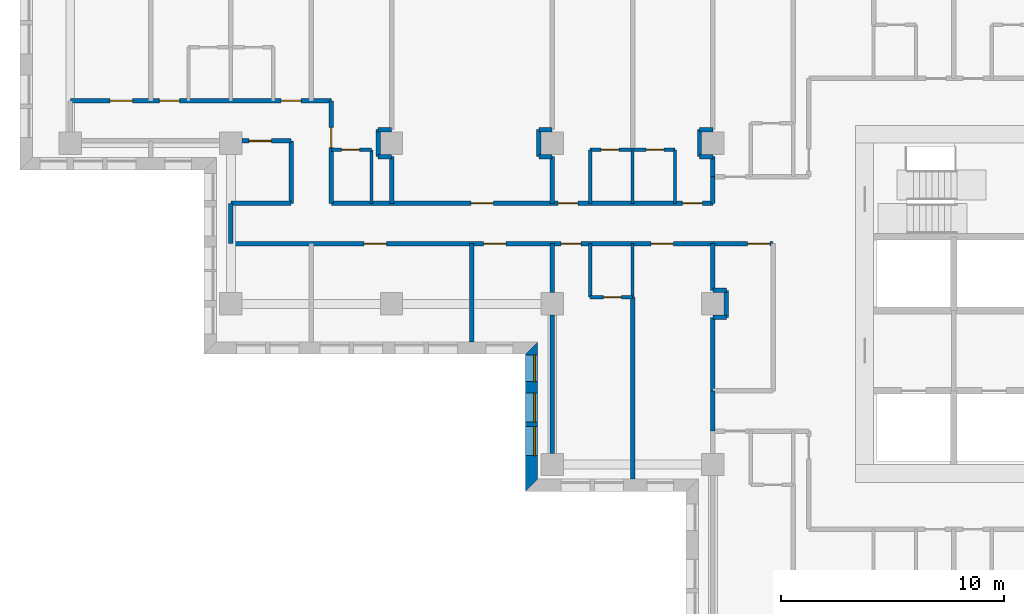
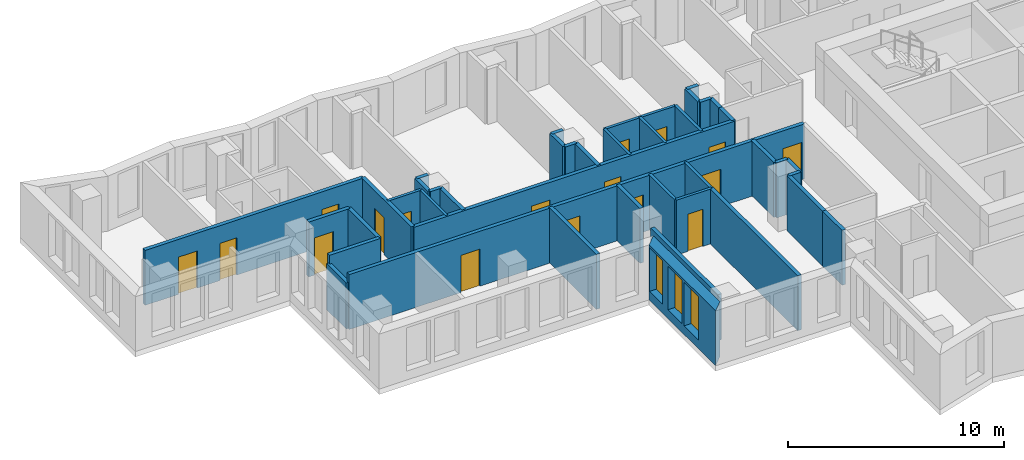
# One storey, part 4 of 13: 41 walls, 17 doors, 3 windows, 20 openings.
"""IFC4 building model written with IfcOpenShell, lengths in metres."""

import ifcopenshell
import ifcopenshell.guid

model = None  # the IFC model being written
_history = None  # IfcOwnerHistory: only IFC2X3 demands one
_inside = {}  # id of a spatial element -> (the spatial element, [elements in it])
_under = {}  # id of a project, library or spatial element -> (it, [spatial elements below it])
_declared = {}  # id of a project -> (the project, [libraries it declares])
_typed = {}  # id of a type object -> (the type object, [elements of that type])
_made_of = {}  # id of a material, layer set ... -> (it, [elements and type objects made of it])


def new_model(schema):
    """Start an empty IFC model of exactly this schema.

    Asked for "IFC4X3", IfcOpenShell would pick the latest addendum, in which some entities
    have other attributes; the version numbers below select the first issue.
    IFC2X3 requires an IfcOwnerHistory on every rooted entity: one is made here for all.
    """
    global model, _history
    if schema == "IFC4X3":
        model = ifcopenshell.file(schema_version=(4, 3, 0, 0))
    else:
        model = ifcopenshell.file(schema=schema)
    _inside.clear()
    _under.clear()
    _declared.clear()
    _typed.clear()
    _made_of.clear()
    _history = None
    if model.schema == "IFC2X3":
        org = make("IfcOrganization", Name="unknown")
        user = make(
            "IfcPersonAndOrganization",
            ThePerson=make("IfcPerson", FamilyName="unknown"),
            TheOrganization=org,
        )
        app = make(
            "IfcApplication",
            ApplicationDeveloper=org,
            Version="unknown",
            ApplicationFullName="unknown",
            ApplicationIdentifier="unknown",
        )
        _history = make(
            "IfcOwnerHistory",
            OwningUser=user,
            OwningApplication=app,
            ChangeAction="ADDED",
            CreationDate=0,
        )
    return model


def make(cls, **values):
    """One entity of the class cls with the attributes given. An attribute that is None is left unset."""
    return model.create_entity(
        cls, **{name: value for name, value in values.items() if value is not None}
    )


def rooted(cls, **values):
    """An entity with a GlobalId (a new one), such as an element, a storey or a relation."""
    return make(cls, GlobalId=ifcopenshell.guid.new(), OwnerHistory=_history, **values)


def si_unit(unit_type, name, prefix=None):
    """IfcSIUnit, for example si_unit("LENGTHUNIT", "METRE", prefix="MILLI")."""
    return make("IfcSIUnit", UnitType=unit_type, Prefix=prefix, Name=name)


def assignment(units):
    """IfcUnitAssignment: the units of a project."""
    return None if units is None else make("IfcUnitAssignment", Units=units)


def point(xyz):
    """IfcCartesianPoint."""
    return None if xyz is None else make("IfcCartesianPoint", Coordinates=xyz)


def direction(xyz):
    """IfcDirection."""
    return None if xyz is None else make("IfcDirection", DirectionRatios=xyz)


def frame(location, z_axis=None, x_axis=None):
    """IfcAxis2Placement3D, a coordinate frame: its origin and axes. An axis left out is left unset."""
    return make(
        "IfcAxis2Placement3D",
        Location=point(location),
        Axis=direction(z_axis),
        RefDirection=direction(x_axis),
    )


def frame_2d(location, x_axis=None):
    """IfcAxis2Placement2D, a coordinate frame in the plane: its origin and x axis."""
    return make(
        "IfcAxis2Placement2D", Location=point(location), RefDirection=direction(x_axis)
    )


def origin():
    """The frame at (0, 0, 0) with its axes left unset."""
    return frame((0.0, 0.0, 0.0))


def place(relative_to, where):
    """IfcLocalPlacement: puts the frame where relative to a parent placement (None: the world)."""
    return make(
        "IfcLocalPlacement", PlacementRelTo=relative_to, RelativePlacement=where
    )


def context(
    kind, dimensions, precision=None, world=None, true_north=None, identifier=None
):
    """IfcGeometricRepresentationContext, for example the 3D "Model" context."""
    return make(
        "IfcGeometricRepresentationContext",
        ContextIdentifier=identifier,
        ContextType=kind,
        CoordinateSpaceDimension=dimensions,
        Precision=precision,
        WorldCoordinateSystem=world,
        TrueNorth=true_north,
    )


def subcontext(parent, identifier, kind, view, scale=None):
    """IfcGeometricRepresentationSubContext, for example "Body" below "Model"."""
    return make(
        "IfcGeometricRepresentationSubContext",
        ContextIdentifier=identifier,
        ContextType=kind,
        ParentContext=parent,
        TargetScale=scale,
        TargetView=view,
    )


def project(units=None, contexts=None):
    """IfcProject with its units and contexts."""
    return rooted(
        "IfcProject",
        Name="project",
        RepresentationContexts=contexts,
        UnitsInContext=assignment(units),
    )


def spatial(cls, under=None, at=None, **own):
    """A site, building, storey or space (cls), placed at a placement, below another one or the project."""
    s = rooted(cls, ObjectPlacement=at, **own)
    if under is not None:
        _under.setdefault(under.id(), (under, []))[1].append(s)
    return s


def polyline(points):
    """IfcPolyline through the points."""
    return make("IfcPolyline", Points=[point(p) for p in points])


def profile(cls, at=None, kind="AREA", **sizes):
    """A parametric profile (cls). Its sizes go by their IFC names, for example OverallWidth=200.0."""
    return make(cls, ProfileType=kind, Position=at, **sizes)


def rectangle(**sizes):
    """IfcRectangleProfileDef."""
    return profile("IfcRectangleProfileDef", **sizes)


def outline(outer, holes=None, kind="AREA"):
    """IfcArbitraryClosedProfileDef: a profile drawn as a closed curve; with holes, ...WithVoids."""
    if holes is None:
        return make("IfcArbitraryClosedProfileDef", ProfileType=kind, OuterCurve=outer)
    return make(
        "IfcArbitraryProfileDefWithVoids",
        ProfileType=kind,
        OuterCurve=outer,
        InnerCurves=holes,
    )


def extrude(swept, where, along, depth):
    """IfcExtrudedAreaSolid: the profile swept, set in the frame where, extruded along a direction by depth."""
    return make(
        "IfcExtrudedAreaSolid",
        SweptArea=swept,
        Position=where,
        ExtrudedDirection=direction(along),
        Depth=depth,
    )


def shape(context_of_items, identifier, shape_type, items):
    """IfcShapeRepresentation: the items that make up one representation, for example the "Body"."""
    return make(
        "IfcShapeRepresentation",
        ContextOfItems=context_of_items,
        RepresentationIdentifier=identifier,
        RepresentationType=shape_type,
        Items=items,
    )


def material(Name=None, Category=None):
    """IfcMaterial."""
    return make("IfcMaterial", Name=Name, Category=Category)


def layer(
    of_material, thickness, ventilated=None, Name=None, Category=None, Priority=None
):
    """IfcMaterialLayer: one layer of a wall or slab, of a material (None: an air gap)."""
    return make(
        "IfcMaterialLayer",
        Material=of_material,
        LayerThickness=thickness,
        IsVentilated=ventilated,
        Name=Name,
        Category=Category,
        Priority=Priority,
    )


def layer_set(layers, Name=None):
    """IfcMaterialLayerSet."""
    return make("IfcMaterialLayerSet", MaterialLayers=layers, LayerSetName=Name)


def made_of(thing, what):
    """Note that an element or type object is made of a material, layer set ...; save() writes the relation."""
    if what is not None:
        _made_of.setdefault(what.id(), (what, []))[1].append(thing)
    return thing


def type_object(cls, material=None, **own):
    """A type object (cls), such as IfcWallType, which elements share."""
    return made_of(rooted(cls, **own), material)


def element(
    cls,
    number,
    at=None,
    inside=None,
    cuts=None,
    type_object=None,
    material=None,
    context=None,
    identifier="Body",
    shape_type=None,
    held_by="IfcProductDefinitionShape",
    body=None,
    shapes=None,
    **own,
):
    """One element of the class cls, such as IfcWall. Its Tag is "e" and its number.

    at: its placement. inside: the storey or other place that contains it. cuts: it is an
    opening in that element (IfcRelVoidsElement). A single representation is given by context,
    identifier, shape_type and body (its items); several are given by shapes. held_by: the class
    of the entity that holds the representations. save() writes the other relations.
    """
    e = rooted(cls, Tag="e%d" % number, ObjectPlacement=at, **own)
    if body is not None:
        shapes = [shape(context, identifier, shape_type, body)]
    if shapes is not None:
        e.Representation = make(held_by, Representations=shapes)
    if inside is not None:
        _inside.setdefault(inside.id(), (inside, []))[1].append(e)
    if cuts is not None:
        rooted(
            "IfcRelVoidsElement", RelatingBuildingElement=cuts, RelatedOpeningElement=e
        )
    if type_object is not None:
        _typed.setdefault(type_object.id(), (type_object, []))[1].append(e)
    return made_of(e, material)


def fill(opening, filler):
    """IfcRelFillsElement: the door or window that sits in an opening."""
    return rooted(
        "IfcRelFillsElement",
        RelatingOpeningElement=opening,
        RelatedBuildingElement=filler,
    )


def aggregate(whole, parts):
    """IfcRelAggregates: a whole, such as a stair, and the parts it consists of."""
    return rooted("IfcRelAggregates", RelatingObject=whole, RelatedObjects=parts)


def save(model, path):
    """Write the relations noted so far, then the file.

    IfcRelAggregates (storeys below a building ...), IfcRelContainedInSpatialStructure (elements
    in a storey), IfcRelDefinesByType, IfcRelAssociatesMaterial and IfcRelDeclares: one each for
    every whole, place, type object, material and project.
    """
    for whole, parts in _under.values():
        aggregate(whole, parts)
    for where, things in _inside.values():
        rooted(
            "IfcRelContainedInSpatialStructure",
            RelatedElements=things,
            RelatingStructure=where,
        )
    for kind, things in _typed.values():
        rooted("IfcRelDefinesByType", RelatedObjects=things, RelatingType=kind)
    for what, things in _made_of.values():
        rooted("IfcRelAssociatesMaterial", RelatedObjects=things, RelatingMaterial=what)
    for by, libraries in _declared.values():
        rooted("IfcRelDeclares", RelatingContext=by, RelatedDefinitions=libraries)
    model.write(path)


model = new_model("IFC4")

# Units and contexts
model_context = context("Model", 3, precision=1e-05, world=origin(), true_north=direction((0.0, 1.0)))
body_context = subcontext(model_context, "Body", "Model", "MODEL_VIEW")
ifc_project = project(units=[si_unit("LENGTHUNIT", "METRE"), si_unit("AREAUNIT", "SQUARE_METRE"), si_unit("VOLUMEUNIT", "CUBIC_METRE"), si_unit("PLANEANGLEUNIT", "RADIAN"), si_unit("MASSUNIT", "GRAM", prefix="KILO")], contexts=[model_context])

# Site, building, storey
site_placement = place(None, origin())
site = spatial("IfcSite", under=ifc_project, at=site_placement, CompositionType="ELEMENT")
building_placement = place(site_placement, origin())
building = spatial("IfcBuilding", under=site, at=building_placement, Name="Windrow Commons", CompositionType="ELEMENT")
storey_placement = place(building_placement, frame((0.0, 0.0, 98.2)))
storey = spatial("IfcBuildingStorey", under=building, at=storey_placement, Name="L26", CompositionType="ELEMENT", Elevation=98.2)

# Wall, openings, windows
ifc_material_1 = material(Name="Brick masonry, red clay brick", Category="masonry")
ifc_layer_1 = layer(ifc_material_1, 0.55)
ifc_layer_set_1 = layer_set([ifc_layer_1], Name="Brick facade wall 550")
wall_type_1 = type_object("IfcWallType", Name="Brick facade wall 550", PredefinedType="SOLIDWALL", material=ifc_layer_set_1)
wall_1_placement = place(storey_placement, frame((42.275, 55.624, 0.0), z_axis=(0.0, 0.0, 1.0), x_axis=(0.0, -1.0, 0.0)))
wall_1 = element("IfcWall", 1, at=wall_1_placement, inside=storey, type_object=wall_type_1, Name="Brick facade wall L26 41", PredefinedType="SOLIDWALL", context=body_context, shape_type="SweptSolid", body=[
    extrude(outline(polyline([(0.275, -0.275), (6.424, -0.275), (5.874, 0.275), (-0.275, 0.275), (0.275, -0.275)])), origin(), (0.0, 0.0, 1.0), 3.1),
])
opening_1_placement = place(wall_1_placement, frame((2.024, 0.0, 0.5)))
opening_1 = element("IfcOpeningElement", 2, at=opening_1_placement, cuts=wall_1, Name="Opening W1P", PredefinedType="OPENING", context=body_context, shape_type="SweptSolid", body=[
    extrude(rectangle(XDim=1.3, YDim=2.45, at=frame_2d((0.65, 1.225))), frame((0.0, 0.285, 0.0), z_axis=(0.0, -1.0, 0.0), x_axis=(1.0, 0.0, 0.0)), (0.0, 0.0, 1.0), 0.57),
])
opening_2_placement = place(wall_1_placement, frame((3.524, 0.0, 0.5)))
opening_2 = element("IfcOpeningElement", 3, at=opening_2_placement, cuts=wall_1, Name="Opening W1P", PredefinedType="OPENING", context=body_context, shape_type="SweptSolid", body=[
    extrude(rectangle(XDim=1.3, YDim=2.45, at=frame_2d((0.65, 1.225))), frame((0.0, 0.285, 0.0), z_axis=(0.0, -1.0, 0.0), x_axis=(1.0, 0.0, 0.0)), (0.0, 0.0, 1.0), 0.57),
])
opening_3_placement = place(wall_1_placement, frame((0.312, 0.0, 0.5)))
opening_3 = element("IfcOpeningElement", 4, at=opening_3_placement, cuts=wall_1, Name="Opening W7D", PredefinedType="OPENING", context=body_context, shape_type="SweptSolid", body=[
    extrude(rectangle(XDim=1.2, YDim=2.45, at=frame_2d((0.6, 1.225))), frame((0.0, 0.285, 0.0), z_axis=(0.0, -1.0, 0.0), x_axis=(1.0, 0.0, 0.0)), (0.0, 0.0, 1.0), 0.57),
])
ifc_material_2 = material(Name="Clear float glass in anodised aluminium frame", Category="aluminium")
window_type_1 = type_object("IfcWindowType", Name="Window W1P pair 1300x2450", PartitioningType="SINGLE_PANEL", PredefinedType="WINDOW", material=ifc_material_2)
window_1_placement = place(opening_1_placement, origin())
window_1 = element("IfcWindow", 5, at=window_1_placement, inside=storey, type_object=window_type_1, Name="Window L26 41.1A", OverallHeight=2.45, OverallWidth=1.3, PartitioningType="SINGLE_PANEL", PredefinedType="WINDOW", context=body_context, shape_type="SweptSolid", body=[
    extrude(rectangle(XDim=1.3, YDim=2.45, at=frame_2d((0.65, 1.225))), frame((0.0, 0.155, 0.0), z_axis=(0.0, -1.0, 0.0), x_axis=(1.0, 0.0, 0.0)), (0.0, 0.0, 1.0), 0.06),
])
fill(opening_1, window_1)
window_2_placement = place(opening_2_placement, origin())
window_2 = element("IfcWindow", 6, at=window_2_placement, inside=storey, type_object=window_type_1, Name="Window L26 41.1B", OverallHeight=2.45, OverallWidth=1.3, PartitioningType="SINGLE_PANEL", PredefinedType="WINDOW", context=body_context, shape_type="SweptSolid", body=[
    extrude(rectangle(XDim=1.3, YDim=2.45, at=frame_2d((0.65, 1.225))), frame((0.0, 0.155, 0.0), z_axis=(0.0, -1.0, 0.0), x_axis=(1.0, 0.0, 0.0)), (0.0, 0.0, 1.0), 0.06),
])
fill(opening_2, window_2)
ifc_material_3 = material(Name="Clear float glass in anodised aluminium frame", Category="aluminium")
window_type_2 = type_object("IfcWindowType", Name="Window W7 notch 1200x2450", PartitioningType="SINGLE_PANEL", PredefinedType="WINDOW", material=ifc_material_3)
window_3_placement = place(opening_3_placement, origin())
window_3 = element("IfcWindow", 7, at=window_3_placement, inside=storey, type_object=window_type_2, Name="Window L26 41.2", OverallHeight=2.45, OverallWidth=1.2, PartitioningType="SINGLE_PANEL", PredefinedType="WINDOW", context=body_context, shape_type="SweptSolid", body=[
    extrude(rectangle(XDim=1.2, YDim=2.45, at=frame_2d((0.6, 1.225))), frame((0.0, 0.155, 0.0), z_axis=(0.0, -1.0, 0.0), x_axis=(1.0, 0.0, 0.0)), (0.0, 0.0, 1.0), 0.06),
])
fill(opening_3, window_3)

# Wall, openings, doors
ifc_material_4 = material(Name="Blockwork partition", Category="masonry")
ifc_layer_2 = layer(ifc_material_4, 0.2)
ifc_layer_set_2 = layer_set([ifc_layer_2], Name="IW-CORRIDOR-200")
wall_type_2 = type_object("IfcWallType", Name="IW-CORRIDOR-200", PredefinedType="PARTITIONING", material=ifc_layer_set_2)
wall_2_placement = place(storey_placement, frame((28.802, 60.3, 0.0), z_axis=(0.0, 0.0, 1.0), x_axis=(1.0, 0.0, 0.0)))
wall_2 = element("IfcWall", 8, at=wall_2_placement, inside=storey, type_object=wall_type_2, Name="W-L26-W000", PredefinedType="PARTITIONING", context=body_context, shape_type="SweptSolid", body=[
    extrude(rectangle(XDim=24.298, YDim=0.2, at=frame_2d((12.149, 0.0))), origin(), (0.0, 0.0, 1.0), 3.1),
])
opening_4_placement = place(wall_2_placement, frame((5.9717, 0.0, 0.0)))
opening_4 = element("IfcOpeningElement", 9, at=opening_4_placement, cuts=wall_2, Name="Opening D310F", PredefinedType="OPENING", context=body_context, shape_type="SweptSolid", body=[
    extrude(rectangle(XDim=1.0, YDim=2.1, at=frame_2d((0.5, 1.05))), frame((0.0, 0.11, 0.0), z_axis=(0.0, -1.0, 0.0), x_axis=(1.0, 0.0, 0.0)), (0.0, 0.0, 1.0), 0.22),
])
opening_5_placement = place(wall_2_placement, frame((11.323, 0.0, 0.0)))
opening_5 = element("IfcOpeningElement", 10, at=opening_5_placement, cuts=wall_2, Name="Opening D310F", PredefinedType="OPENING", context=body_context, shape_type="SweptSolid", body=[
    extrude(rectangle(XDim=1.0, YDim=2.1, at=frame_2d((0.5, 1.05))), frame((0.0, 0.11, 0.0), z_axis=(0.0, -1.0, 0.0), x_axis=(1.0, 0.0, 0.0)), (0.0, 0.0, 1.0), 0.22),
])
opening_6_placement = place(wall_2_placement, frame((14.798, 0.0, 0.0)))
opening_6 = element("IfcOpeningElement", 11, at=opening_6_placement, cuts=wall_2, Name="Opening D109S", PredefinedType="OPENING", context=body_context, shape_type="SweptSolid", body=[
    extrude(rectangle(XDim=0.9, YDim=2.1, at=frame_2d((0.45, 1.05))), frame((0.0, 0.11, 0.0), z_axis=(0.0, -1.0, 0.0), x_axis=(1.0, 0.0, 0.0)), (0.0, 0.0, 1.0), 0.22),
])
opening_7_placement = place(wall_2_placement, frame((18.833, 0.0, 0.0)))
opening_7 = element("IfcOpeningElement", 12, at=opening_7_placement, cuts=wall_2, Name="Opening D310F", PredefinedType="OPENING", context=body_context, shape_type="SweptSolid", body=[
    extrude(rectangle(XDim=1.0, YDim=2.1, at=frame_2d((0.5, 1.05))), frame((0.0, 0.11, 0.0), z_axis=(0.0, -1.0, 0.0), x_axis=(1.0, 0.0, 0.0)), (0.0, 0.0, 1.0), 0.22),
])
opening_8_placement = place(wall_2_placement, frame((23.1515, 0.0, 0.0)))
opening_8 = element("IfcOpeningElement", 13, at=opening_8_placement, cuts=wall_2, Name="Opening D410F", PredefinedType="OPENING", context=body_context, shape_type="SweptSolid", body=[
    extrude(rectangle(XDim=1.0, YDim=2.1, at=frame_2d((0.5, 1.05))), frame((0.0, 0.11, 0.0), z_axis=(0.0, -1.0, 0.0), x_axis=(1.0, 0.0, 0.0)), (0.0, 0.0, 1.0), 0.22),
])
ifc_material_5 = material(Name="Timber door leaf", Category="wood")
door_type_1 = type_object("IfcDoorType", Name="DT-AMENITY-1000", OperationType="SINGLE_SWING_LEFT", PredefinedType="DOOR", material=ifc_material_5)
door_1_placement = place(opening_4_placement, origin())
door_1 = element("IfcDoor", 14, at=door_1_placement, inside=storey, type_object=door_type_1, Name="D-L26-D007", OperationType="SINGLE_SWING_RIGHT", OverallHeight=2.1, OverallWidth=1.0, PredefinedType="DOOR", context=body_context, shape_type="SweptSolid", body=[
    extrude(rectangle(XDim=1.0, YDim=2.1, at=frame_2d((0.5, 1.05))), frame((0.0, 0.025, 0.0), z_axis=(0.0, -1.0, 0.0), x_axis=(1.0, 0.0, 0.0)), (0.0, 0.0, 1.0), 0.05),
])
fill(opening_4, door_1)
door_2_placement = place(opening_5_placement, origin())
door_2 = element("IfcDoor", 15, at=door_2_placement, inside=storey, type_object=door_type_1, Name="D-L26-D015", OperationType="SINGLE_SWING_RIGHT", OverallHeight=2.1, OverallWidth=1.0, PredefinedType="DOOR", context=body_context, shape_type="SweptSolid", body=[
    extrude(rectangle(XDim=1.0, YDim=2.1, at=frame_2d((0.5, 1.05))), frame((0.0, 0.025, 0.0), z_axis=(0.0, -1.0, 0.0), x_axis=(1.0, 0.0, 0.0)), (0.0, 0.0, 1.0), 0.05),
])
fill(opening_5, door_2)
door_3_placement = place(opening_7_placement, origin())
door_3 = element("IfcDoor", 16, at=door_3_placement, inside=storey, type_object=door_type_1, Name="D-L26-D018", OperationType="SINGLE_SWING_RIGHT", OverallHeight=2.1, OverallWidth=1.0, PredefinedType="DOOR", context=body_context, shape_type="SweptSolid", body=[
    extrude(rectangle(XDim=1.0, YDim=2.1, at=frame_2d((0.5, 1.05))), frame((0.0, 0.025, 0.0), z_axis=(0.0, -1.0, 0.0), x_axis=(1.0, 0.0, 0.0)), (0.0, 0.0, 1.0), 0.05),
])
fill(opening_7, door_3)
ifc_material_6 = material(Name="Timber door leaf", Category="wood")
door_type_2 = type_object("IfcDoorType", Name="DT-BEDROOM-900", OperationType="SINGLE_SWING_LEFT", PredefinedType="DOOR", material=ifc_material_6)
door_4_placement = place(opening_6_placement, origin())
door_4 = element("IfcDoor", 17, at=door_4_placement, inside=storey, type_object=door_type_2, Name="D-L26-D016", OperationType="SINGLE_SWING_LEFT", OverallHeight=2.1, OverallWidth=0.9, PredefinedType="DOOR", context=body_context, shape_type="SweptSolid", body=[
    extrude(rectangle(XDim=0.9, YDim=2.1, at=frame_2d((0.45, 1.05))), frame((0.0, 0.025, 0.0), z_axis=(0.0, -1.0, 0.0), x_axis=(1.0, 0.0, 0.0)), (0.0, 0.0, 1.0), 0.05),
])
fill(opening_6, door_4)
ifc_material_7 = material(Name="Timber door leaf", Category="wood")
door_type_3 = type_object("IfcDoorType", Name="DT-SERVICE-1000", OperationType="SINGLE_SWING_LEFT", PredefinedType="DOOR", material=ifc_material_7)
door_5_placement = place(opening_8_placement, origin())
door_5 = element("IfcDoor", 18, at=door_5_placement, inside=storey, type_object=door_type_3, Name="D-L26-D025", OperationType="SINGLE_SWING_LEFT", OverallHeight=2.1, OverallWidth=1.0, PredefinedType="DOOR", context=body_context, shape_type="SweptSolid", body=[
    extrude(rectangle(XDim=1.0, YDim=2.1, at=frame_2d((0.5, 1.05))), frame((0.0, 0.025, 0.0), z_axis=(0.0, -1.0, 0.0), x_axis=(1.0, 0.0, 0.0)), (0.0, 0.0, 1.0), 0.05),
])
fill(opening_8, door_5)

wall_3_placement = place(storey_placement, frame((33.3, 62.1, 0.0), z_axis=(0.0, 0.0, 1.0), x_axis=(1.0, 0.0, 0.0)))
wall_3 = element("IfcWall", 19, at=wall_3_placement, inside=storey, type_object=wall_type_2, Name="W-L26-W004", PredefinedType="PARTITIONING", context=body_context, shape_type="SweptSolid", body=[
    extrude(rectangle(XDim=17.1, YDim=0.2, at=frame_2d((8.55, 0.0))), origin(), (0.0, 0.0, 1.0), 3.1),
])
opening_9_placement = place(wall_3_placement, frame((6.2575, 0.0, 0.0)))
opening_9 = element("IfcOpeningElement", 20, at=opening_9_placement, cuts=wall_3, Name="Opening D310F", PredefinedType="OPENING", context=body_context, shape_type="SweptSolid", body=[
    extrude(rectangle(XDim=1.0, YDim=2.1, at=frame_2d((0.5, 1.05))), frame((0.0, 0.11, 0.0), z_axis=(0.0, -1.0, 0.0), x_axis=(1.0, 0.0, 0.0)), (0.0, 0.0, 1.0), 0.22),
])
opening_10_placement = place(wall_3_placement, frame((10.1483, 0.0, 0.0)))
opening_10 = element("IfcOpeningElement", 21, at=opening_10_placement, cuts=wall_3, Name="Opening D109S", PredefinedType="OPENING", context=body_context, shape_type="SweptSolid", body=[
    extrude(rectangle(XDim=0.9, YDim=2.1, at=frame_2d((0.45, 1.05))), frame((0.0, 0.11, 0.0), z_axis=(0.0, -1.0, 0.0), x_axis=(1.0, 0.0, 0.0)), (0.0, 0.0, 1.0), 0.22),
])
opening_11_placement = place(wall_3_placement, frame((15.7289, 0.0, 0.0)))
opening_11 = element("IfcOpeningElement", 22, at=opening_11_placement, cuts=wall_3, Name="Opening D109S", PredefinedType="OPENING", context=body_context, shape_type="SweptSolid", body=[
    extrude(rectangle(XDim=0.9, YDim=2.1, at=frame_2d((0.45, 1.05))), frame((0.0, 0.11, 0.0), z_axis=(0.0, -1.0, 0.0), x_axis=(1.0, 0.0, 0.0)), (0.0, 0.0, 1.0), 0.22),
])
door_6_placement = place(opening_9_placement, origin())
door_6 = element("IfcDoor", 23, at=door_6_placement, inside=storey, type_object=door_type_1, Name="D-L26-D010", OperationType="SINGLE_SWING_RIGHT", OverallHeight=2.1, OverallWidth=1.0, PredefinedType="DOOR", context=body_context, shape_type="SweptSolid", body=[
    extrude(rectangle(XDim=1.0, YDim=2.1, at=frame_2d((0.5, 1.05))), frame((0.0, 0.025, 0.0), z_axis=(0.0, -1.0, 0.0), x_axis=(1.0, 0.0, 0.0)), (0.0, 0.0, 1.0), 0.05),
])
fill(opening_9, door_6)
door_7_placement = place(opening_10_placement, origin())
door_7 = element("IfcDoor", 24, at=door_7_placement, inside=storey, type_object=door_type_2, Name="D-L26-D011", OperationType="SINGLE_SWING_RIGHT", OverallHeight=2.1, OverallWidth=0.9, PredefinedType="DOOR", context=body_context, shape_type="SweptSolid", body=[
    extrude(rectangle(XDim=0.9, YDim=2.1, at=frame_2d((0.45, 1.05))), frame((0.0, 0.025, 0.0), z_axis=(0.0, -1.0, 0.0), x_axis=(1.0, 0.0, 0.0)), (0.0, 0.0, 1.0), 0.05),
])
fill(opening_10, door_7)
door_8_placement = place(opening_11_placement, origin())
door_8 = element("IfcDoor", 25, at=door_8_placement, inside=storey, type_object=door_type_2, Name="D-L26-D013", OperationType="SINGLE_SWING_LEFT", OverallHeight=2.1, OverallWidth=0.9, PredefinedType="DOOR", context=body_context, shape_type="SweptSolid", body=[
    extrude(rectangle(XDim=0.9, YDim=2.1, at=frame_2d((0.45, 1.05))), frame((0.0, 0.025, 0.0), z_axis=(0.0, -1.0, 0.0), x_axis=(1.0, 0.0, 0.0)), (0.0, 0.0, 1.0), 0.05),
])
fill(opening_11, door_8)

wall_4_placement = place(storey_placement, frame((21.602, 66.7, 0.0), z_axis=(0.0, 0.0, 1.0), x_axis=(1.0, 0.0, 0.0)))
wall_4 = element("IfcWall", 26, at=wall_4_placement, inside=storey, type_object=wall_type_2, Name="W-L26-W006", PredefinedType="PARTITIONING", context=body_context, shape_type="SweptSolid", body=[
    extrude(rectangle(XDim=11.698, YDim=0.2, at=frame_2d((5.849, 0.0))), origin(), (0.0, 0.0, 1.0), 3.1),
])
opening_12_placement = place(wall_4_placement, frame((1.7901, 0.0, 0.0)))
opening_12 = element("IfcOpeningElement", 27, at=opening_12_placement, cuts=wall_4, Name="Opening D310F", PredefinedType="OPENING", context=body_context, shape_type="SweptSolid", body=[
    extrude(rectangle(XDim=1.0, YDim=2.1, at=frame_2d((0.5, 1.05))), frame((0.0, 0.11, 0.0), z_axis=(0.0, -1.0, 0.0), x_axis=(1.0, 0.0, 0.0)), (0.0, 0.0, 1.0), 0.22),
])
opening_13_placement = place(wall_4_placement, frame((3.998, 0.0, 0.0)))
opening_13 = element("IfcOpeningElement", 28, at=opening_13_placement, cuts=wall_4, Name="Opening D109S", PredefinedType="OPENING", context=body_context, shape_type="SweptSolid", body=[
    extrude(rectangle(XDim=0.9, YDim=2.1, at=frame_2d((0.45, 1.05))), frame((0.0, 0.11, 0.0), z_axis=(0.0, -1.0, 0.0), x_axis=(1.0, 0.0, 0.0)), (0.0, 0.0, 1.0), 0.22),
])
opening_14_placement = place(wall_4_placement, frame((9.448, 0.0, 0.0)))
opening_14 = element("IfcOpeningElement", 29, at=opening_14_placement, cuts=wall_4, Name="Opening D109S", PredefinedType="OPENING", context=body_context, shape_type="SweptSolid", body=[
    extrude(rectangle(XDim=0.9, YDim=2.1, at=frame_2d((0.45, 1.05))), frame((0.0, 0.11, 0.0), z_axis=(0.0, -1.0, 0.0), x_axis=(1.0, 0.0, 0.0)), (0.0, 0.0, 1.0), 0.22),
])
door_9_placement = place(opening_12_placement, origin())
door_9 = element("IfcDoor", 30, at=door_9_placement, inside=storey, type_object=door_type_1, Name="D-L26-D001", OperationType="SINGLE_SWING_RIGHT", OverallHeight=2.1, OverallWidth=1.0, PredefinedType="DOOR", context=body_context, shape_type="SweptSolid", body=[
    extrude(rectangle(XDim=1.0, YDim=2.1, at=frame_2d((0.5, 1.05))), frame((0.0, 0.025, 0.0), z_axis=(0.0, -1.0, 0.0), x_axis=(1.0, 0.0, 0.0)), (0.0, 0.0, 1.0), 0.05),
])
fill(opening_12, door_9)
door_10_placement = place(opening_13_placement, origin())
door_10 = element("IfcDoor", 31, at=door_10_placement, inside=storey, type_object=door_type_2, Name="D-L26-D002", OperationType="SINGLE_SWING_LEFT", OverallHeight=2.1, OverallWidth=0.9, PredefinedType="DOOR", context=body_context, shape_type="SweptSolid", body=[
    extrude(rectangle(XDim=0.9, YDim=2.1, at=frame_2d((0.45, 1.05))), frame((0.0, 0.025, 0.0), z_axis=(0.0, -1.0, 0.0), x_axis=(1.0, 0.0, 0.0)), (0.0, 0.0, 1.0), 0.05),
])
fill(opening_13, door_10)
door_11_placement = place(opening_14_placement, origin())
door_11 = element("IfcDoor", 32, at=door_11_placement, inside=storey, type_object=door_type_2, Name="D-L26-D004", OperationType="SINGLE_SWING_RIGHT", OverallHeight=2.1, OverallWidth=0.9, PredefinedType="DOOR", context=body_context, shape_type="SweptSolid", body=[
    extrude(rectangle(XDim=0.9, YDim=2.1, at=frame_2d((0.45, 1.05))), frame((0.0, 0.025, 0.0), z_axis=(0.0, -1.0, 0.0), x_axis=(1.0, 0.0, 0.0)), (0.0, 0.0, 1.0), 0.05),
])
fill(opening_14, door_11)

# Wall, opening, door
wall_5_placement = place(storey_placement, frame((33.3, 62.102, 0.0), z_axis=(0.0, 0.0, 1.0), x_axis=(0.0, 1.0, 0.0)))
wall_5 = element("IfcWall", 33, at=wall_5_placement, inside=storey, type_object=wall_type_2, Name="W-L26-W045", PredefinedType="PARTITIONING", context=body_context, shape_type="SweptSolid", body=[
    extrude(rectangle(XDim=4.598, YDim=0.2, at=frame_2d((2.299, 0.0))), origin(), (0.0, 0.0, 1.0), 3.1),
])
opening_15_placement = place(wall_5_placement, frame((2.5013, 0.0, 0.0)))
opening_15 = element("IfcOpeningElement", 34, at=opening_15_placement, cuts=wall_5, Name="Opening D109S", PredefinedType="OPENING", context=body_context, shape_type="SweptSolid", body=[
    extrude(rectangle(XDim=0.9, YDim=2.1, at=frame_2d((0.45, 1.05))), frame((0.0, 0.11, 0.0), z_axis=(0.0, -1.0, 0.0), x_axis=(1.0, 0.0, 0.0)), (0.0, 0.0, 1.0), 0.22),
])
door_12_placement = place(opening_15_placement, origin())
door_12 = element("IfcDoor", 35, at=door_12_placement, inside=storey, type_object=door_type_2, Name="D-L26-D008", OperationType="SINGLE_SWING_LEFT", OverallHeight=2.1, OverallWidth=0.9, PredefinedType="DOOR", context=body_context, shape_type="SweptSolid", body=[
    extrude(rectangle(XDim=0.9, YDim=2.1, at=frame_2d((0.45, 1.05))), frame((0.0, 0.025, 0.0), z_axis=(0.0, -1.0, 0.0), x_axis=(1.0, 0.0, 0.0)), (0.0, 0.0, 1.0), 0.05),
])
fill(opening_15, door_12)

# Walls
wall_6_placement = place(storey_placement, frame((31.5, 62.102, 0.0), z_axis=(0.0, 0.0, 1.0), x_axis=(0.0, 1.0, 0.0)))
element("IfcWall", 36, at=wall_6_placement, inside=storey, type_object=wall_type_2, Name="W-L26-W064", PredefinedType="PARTITIONING", context=body_context, shape_type="SweptSolid", body=[
    extrude(rectangle(XDim=2.796, YDim=0.2, at=frame_2d((1.398, 0.0))), origin(), (0.0, 0.0, 1.0), 3.1),
])
wall_7_placement = place(storey_placement, frame((28.802, 62.1, 0.0), z_axis=(0.0, 0.0, 1.0), x_axis=(1.0, 0.0, 0.0)))
element("IfcWall", 37, at=wall_7_placement, inside=storey, type_object=wall_type_2, Name="W-L26-W067", PredefinedType="PARTITIONING", context=body_context, shape_type="SweptSolid", body=[
    extrude(rectangle(XDim=2.698, YDim=0.2, at=frame_2d((1.349, 0.0))), origin(), (0.0, 0.0, 1.0), 3.1),
])

# Wall, opening, door
wall_8_placement = place(storey_placement, frame((29.3, 64.9, 0.0), z_axis=(0.0, 0.0, 1.0), x_axis=(1.0, 0.0, 0.0)))
wall_8 = element("IfcWall", 38, at=wall_8_placement, inside=storey, type_object=wall_type_2, Name="W-L26-W116", PredefinedType="PARTITIONING", context=body_context, shape_type="SweptSolid", body=[
    extrude(rectangle(XDim=2.2, YDim=0.2, at=frame_2d((1.1, 0.0))), origin(), (0.0, 0.0, 1.0), 3.1),
])
opening_16_placement = place(wall_8_placement, frame((0.3098, 0.0, 0.0)))
opening_16 = element("IfcOpeningElement", 39, at=opening_16_placement, cuts=wall_8, Name="Opening D310F", PredefinedType="OPENING", context=body_context, shape_type="SweptSolid", body=[
    extrude(rectangle(XDim=1.0, YDim=2.1, at=frame_2d((0.5, 1.05))), frame((0.0, 0.11, 0.0), z_axis=(0.0, -1.0, 0.0), x_axis=(1.0, 0.0, 0.0)), (0.0, 0.0, 1.0), 0.22),
])
door_13_placement = place(opening_16_placement, origin())
door_13 = element("IfcDoor", 40, at=door_13_placement, inside=storey, type_object=door_type_1, Name="D-L26-D006", OperationType="SINGLE_SWING_RIGHT", OverallHeight=2.1, OverallWidth=1.0, PredefinedType="DOOR", context=body_context, shape_type="SweptSolid", body=[
    extrude(rectangle(XDim=1.0, YDim=2.1, at=frame_2d((0.5, 1.05))), frame((0.0, 0.025, 0.0), z_axis=(0.0, -1.0, 0.0), x_axis=(1.0, 0.0, 0.0)), (0.0, 0.0, 1.0), 0.05),
])
fill(opening_16, door_13)

# Walls
wall_9_placement = place(storey_placement, frame((50.4, 51.9, 0.0), z_axis=(0.0, 0.0, 1.0), x_axis=(0.0, 1.0, 0.0)))
element("IfcWall", 41, at=wall_9_placement, inside=storey, type_object=wall_type_2, Name="W-L26-W152", PredefinedType="PARTITIONING", context=body_context, shape_type="SweptSolid", body=[
    extrude(rectangle(XDim=1.8, YDim=0.2, at=frame_2d((0.9, 0.0))), origin(), (0.0, 0.0, 1.0), 3.1),
])
wall_10_placement = place(storey_placement, frame((28.8, 60.302, 0.0), z_axis=(0.0, 0.0, 1.0), x_axis=(0.0, 1.0, 0.0)))
element("IfcWall", 42, at=wall_10_placement, inside=storey, type_object=wall_type_2, Name="W-L26-W153", PredefinedType="PARTITIONING", context=body_context, shape_type="SweptSolid", body=[
    extrude(rectangle(XDim=1.798, YDim=0.2, at=frame_2d((0.899, 0.0))), origin(), (0.0, 0.0, 1.0), 2.6),
])
wall_11_placement = place(storey_placement, frame((50.4, 62.102, 0.0), z_axis=(0.0, 0.0, 1.0), x_axis=(0.0, 1.0, 0.0)))
element("IfcWall", 43, at=wall_11_placement, inside=storey, type_object=wall_type_2, Name="W-L26-W179", PredefinedType="PARTITIONING", context=body_context, shape_type="SweptSolid", body=[
    extrude(rectangle(XDim=1.198, YDim=0.2, at=frame_2d((0.599, 0.0))), origin(), (0.0, 0.0, 1.0), 3.1),
])

# Wall, openings, doors
ifc_material_8 = material(Name="Blockwork partition", Category="masonry")
ifc_layer_3 = layer(ifc_material_8, 0.15)
ifc_layer_set_3 = layer_set([ifc_layer_3], Name="IW-ENSUITE-150")
wall_type_3 = type_object("IfcWallType", Name="IW-ENSUITE-150", PredefinedType="PARTITIONING", material=ifc_layer_set_3)
wall_12_placement = place(storey_placement, frame((44.9, 64.5, 0.0), z_axis=(0.0, 0.0, 1.0), x_axis=(1.0, 0.0, 0.0)))
wall_12 = element("IfcWall", 44, at=wall_12_placement, inside=storey, type_object=wall_type_3, Name="W-L26-W054", PredefinedType="PARTITIONING", context=body_context, shape_type="SweptSolid", body=[
    extrude(rectangle(XDim=3.8, YDim=0.15, at=frame_2d((1.9, 0.0))), origin(), (0.0, 0.0, 1.0), 3.1),
])
opening_17_placement = place(wall_12_placement, frame((0.4931, 0.0, 0.0)))
opening_17 = element("IfcOpeningElement", 45, at=opening_17_placement, cuts=wall_12, Name="Opening D208N", PredefinedType="OPENING", context=body_context, shape_type="SweptSolid", body=[
    extrude(rectangle(XDim=0.8, YDim=2.1, at=frame_2d((0.4, 1.05))), frame((0.0, 0.085, 0.0), z_axis=(0.0, -1.0, 0.0), x_axis=(1.0, 0.0, 0.0)), (0.0, 0.0, 1.0), 0.17),
])
opening_18_placement = place(wall_12_placement, frame((2.5069, 0.0, 0.0)))
opening_18 = element("IfcOpeningElement", 46, at=opening_18_placement, cuts=wall_12, Name="Opening D208N", PredefinedType="OPENING", context=body_context, shape_type="SweptSolid", body=[
    extrude(rectangle(XDim=0.8, YDim=2.1, at=frame_2d((0.4, 1.05))), frame((0.0, 0.085, 0.0), z_axis=(0.0, -1.0, 0.0), x_axis=(1.0, 0.0, 0.0)), (0.0, 0.0, 1.0), 0.17),
])
ifc_material_9 = material(Name="Timber door leaf", Category="wood")
door_type_4 = type_object("IfcDoorType", Name="DT-ENSUITE-800", OperationType="SINGLE_SWING_LEFT", PredefinedType="DOOR", material=ifc_material_9)
door_14_placement = place(opening_17_placement, origin())
door_14 = element("IfcDoor", 47, at=door_14_placement, inside=storey, type_object=door_type_4, Name="D-L26-D012", OperationType="SINGLE_SWING_RIGHT", OverallHeight=2.1, OverallWidth=0.8, PredefinedType="DOOR", context=body_context, shape_type="SweptSolid", body=[
    extrude(rectangle(XDim=0.8, YDim=2.1, at=frame_2d((0.4, 1.05))), frame((0.0, 0.025, 0.0), z_axis=(0.0, -1.0, 0.0), x_axis=(1.0, 0.0, 0.0)), (0.0, 0.0, 1.0), 0.05),
])
fill(opening_17, door_14)
door_15_placement = place(opening_18_placement, origin())
door_15 = element("IfcDoor", 48, at=door_15_placement, inside=storey, type_object=door_type_4, Name="D-L26-D014", OperationType="SINGLE_SWING_RIGHT", OverallHeight=2.1, OverallWidth=0.8, PredefinedType="DOOR", context=body_context, shape_type="SweptSolid", body=[
    extrude(rectangle(XDim=0.8, YDim=2.1, at=frame_2d((0.4, 1.05))), frame((0.0, 0.025, 0.0), z_axis=(0.0, -1.0, 0.0), x_axis=(1.0, 0.0, 0.0)), (0.0, 0.0, 1.0), 0.05),
])
fill(opening_18, door_15)

# Walls
for number, where, z_axis, x_axis, name in (
    (49, (35.1, 62.1, 0.0), (0.0, 0.0, 1.0), (0.0, 1.0, 0.0), "W-L26-W077"),
    (50, (44.9, 57.9, 0.0), (0.0, 0.0, 1.0), (0.0, 1.0, 0.0), "W-L26-W078"),
    (51, (44.9, 62.1, 0.0), (0.0, 0.0, 1.0), (0.0, 1.0, 0.0), "W-L26-W079"),
    (52, (46.8, 57.9, 0.0), (0.0, 0.0, 1.0), (0.0, 1.0, 0.0), "W-L26-W080"),
    (53, (46.8, 62.1, 0.0), (0.0, 0.0, 1.0), (0.0, 1.0, 0.0), "W-L26-W081"),
    (54, (48.7, 62.1, 0.0), (0.0, 0.0, 1.0), (0.0, 1.0, 0.0), "W-L26-W082"),
):
    element("IfcWall", number, at=place(storey_placement, frame(where, z_axis=z_axis, x_axis=x_axis)), inside=storey, type_object=wall_type_3, Name=name, PredefinedType="PARTITIONING", context=body_context, shape_type="SweptSolid", body=[
        extrude(rectangle(XDim=2.4, YDim=0.15, at=frame_2d((1.2, 0.0))), origin(), (0.0, 0.0, 1.0), 3.1),
    ])

# Wall, opening, door
wall_13_placement = place(storey_placement, frame((44.9, 57.9, 0.0), z_axis=(0.0, 0.0, 1.0), x_axis=(1.0, 0.0, 0.0)))
wall_13 = element("IfcWall", 55, at=wall_13_placement, inside=storey, type_object=wall_type_3, Name="W-L26-W138", PredefinedType="PARTITIONING", context=body_context, shape_type="SweptSolid", body=[
    extrude(rectangle(XDim=1.9, YDim=0.15, at=frame_2d((0.95, 0.0))), origin(), (0.0, 0.0, 1.0), 3.1),
])
opening_19_placement = place(wall_13_placement, frame((0.5979, 0.0, 0.0)))
opening_19 = element("IfcOpeningElement", 56, at=opening_19_placement, cuts=wall_13, Name="Opening D208N", PredefinedType="OPENING", context=body_context, shape_type="SweptSolid", body=[
    extrude(rectangle(XDim=0.8, YDim=2.1, at=frame_2d((0.4, 1.05))), frame((0.0, 0.085, 0.0), z_axis=(0.0, -1.0, 0.0), x_axis=(1.0, 0.0, 0.0)), (0.0, 0.0, 1.0), 0.17),
])
door_16_placement = place(opening_19_placement, origin())
door_16 = element("IfcDoor", 57, at=door_16_placement, inside=storey, type_object=door_type_4, Name="D-L26-D017", OperationType="SINGLE_SWING_RIGHT", OverallHeight=2.1, OverallWidth=0.8, PredefinedType="DOOR", context=body_context, shape_type="SweptSolid", body=[
    extrude(rectangle(XDim=0.8, YDim=2.1, at=frame_2d((0.4, 1.05))), frame((0.0, 0.025, 0.0), z_axis=(0.0, -1.0, 0.0), x_axis=(1.0, 0.0, 0.0)), (0.0, 0.0, 1.0), 0.05),
])
fill(opening_19, door_16)

wall_14_placement = place(storey_placement, frame((33.3, 64.5, 0.0), z_axis=(0.0, 0.0, 1.0), x_axis=(1.0, 0.0, 0.0)))
wall_14 = element("IfcWall", 58, at=wall_14_placement, inside=storey, type_object=wall_type_3, Name="W-L26-W151", PredefinedType="PARTITIONING", context=body_context, shape_type="SweptSolid", body=[
    extrude(rectangle(XDim=1.8, YDim=0.15, at=frame_2d((0.9, 0.0))), origin(), (0.0, 0.0, 1.0), 3.1),
])
opening_20_placement = place(wall_14_placement, frame((0.4657, 0.0, 0.0)))
opening_20 = element("IfcOpeningElement", 59, at=opening_20_placement, cuts=wall_14, Name="Opening D208N", PredefinedType="OPENING", context=body_context, shape_type="SweptSolid", body=[
    extrude(rectangle(XDim=0.8, YDim=2.1, at=frame_2d((0.4, 1.05))), frame((0.0, 0.085, 0.0), z_axis=(0.0, -1.0, 0.0), x_axis=(1.0, 0.0, 0.0)), (0.0, 0.0, 1.0), 0.17),
])
door_17_placement = place(opening_20_placement, origin())
door_17 = element("IfcDoor", 60, at=door_17_placement, inside=storey, type_object=door_type_4, Name="D-L26-D009", OperationType="SINGLE_SWING_RIGHT", OverallHeight=2.1, OverallWidth=0.8, PredefinedType="DOOR", context=body_context, shape_type="SweptSolid", body=[
    extrude(rectangle(XDim=0.8, YDim=2.1, at=frame_2d((0.4, 1.05))), frame((0.0, 0.025, 0.0), z_axis=(0.0, -1.0, 0.0), x_axis=(1.0, 0.0, 0.0)), (0.0, 0.0, 1.0), 0.05),
])
fill(opening_20, door_17)

# Walls
ifc_material_10 = material(Name="Blockwork partition", Category="masonry")
ifc_layer_4 = layer(ifc_material_10, 0.2)
ifc_layer_set_4 = layer_set([ifc_layer_4], Name="IW-PARTY-200")
wall_type_4 = type_object("IfcWallType", Name="IW-PARTY-200", PredefinedType="PARTITIONING", material=ifc_layer_set_4)
wall_15_placement = place(storey_placement, frame((46.8, 49.75, 0.0), z_axis=(0.0, 0.0, 1.0), x_axis=(0.0, 1.0, 0.0)))
element("IfcWall", 61, at=wall_15_placement, inside=storey, type_object=wall_type_4, Name="W-L26-W017", PredefinedType="PARTITIONING", context=body_context, shape_type="SweptSolid", body=[
    extrude(rectangle(XDim=8.15, YDim=0.2, at=frame_2d((4.075, 0.0))), origin(), (0.0, 0.0, 1.0), 3.1),
])
wall_16_placement = place(storey_placement, frame((43.2, 50.9, 0.0), z_axis=(0.0, 0.0, 1.0), x_axis=(0.0, 1.0, 0.0)))
element("IfcWall", 62, at=wall_16_placement, inside=storey, type_object=wall_type_4, Name="W-L26-W026", PredefinedType="PARTITIONING", context=body_context, shape_type="SweptSolid", body=[
    extrude(rectangle(XDim=6.2, YDim=0.2, at=frame_2d((3.1, 0.0))), origin(), (0.0, 0.0, 1.0), 2.6),
])
wall_17_placement = place(storey_placement, frame((39.6, 55.899, 0.0), z_axis=(0.0, 0.0, 1.0), x_axis=(0.0, 1.0, 0.0)))
element("IfcWall", 63, at=wall_17_placement, inside=storey, type_object=wall_type_4, Name="W-L26-W050", PredefinedType="PARTITIONING", context=body_context, shape_type="SweptSolid", body=[
    extrude(rectangle(XDim=4.401, YDim=0.2, at=frame_2d((2.2005, 0.0))), origin(), (0.0, 0.0, 1.0), 3.1),
])
wall_18_placement = place(storey_placement, frame((50.4, 53.7, 0.0), z_axis=(0.0, 0.0, 1.0), x_axis=(0.0, 1.0, 0.0)))
element("IfcWall", 64, at=wall_18_placement, inside=storey, type_object=wall_type_4, Name="W-L26-W061", PredefinedType="PARTITIONING", context=body_context, shape_type="SweptSolid", body=[
    extrude(rectangle(XDim=3.296, YDim=0.2, at=frame_2d((1.648, 0.0))), origin(), (0.0, 0.0, 1.0), 3.1),
])
wall_19_placement = place(storey_placement, frame((43.2, 58.1, 0.0), z_axis=(0.0, 0.0, 1.0), x_axis=(0.0, 1.0, 0.0)))
element("IfcWall", 65, at=wall_19_placement, inside=storey, type_object=wall_type_4, Name="W-L26-W117", PredefinedType="PARTITIONING", context=body_context, shape_type="SweptSolid", body=[
    extrude(rectangle(XDim=2.2, YDim=0.2, at=frame_2d((1.1, 0.0))), origin(), (0.0, 0.0, 1.0), 3.1),
])
for number, where, z_axis, x_axis, name in (
    (66, (36.0, 62.1, 0.0), (0.0, 0.0, 1.0), (0.0, 1.0, 0.0), "W-L26-W121"),
    (67, (43.2, 62.1, 0.0), (0.0, 0.0, 1.0), (0.0, 1.0, 0.0), "W-L26-W122"),
):
    element("IfcWall", number, at=place(storey_placement, frame(where, z_axis=z_axis, x_axis=x_axis)), inside=storey, type_object=wall_type_4, Name=name, PredefinedType="PARTITIONING", context=body_context, shape_type="SweptSolid", body=[
        extrude(rectangle(XDim=2.096, YDim=0.2, at=frame_2d((1.048, 0.0))), origin(), (0.0, 0.0, 1.0), 3.1),
    ])
wall_20_placement = place(storey_placement, frame((50.4, 58.206, 0.0), z_axis=(0.0, 0.0, 1.0), x_axis=(0.0, 1.0, 0.0)))
element("IfcWall", 68, at=wall_20_placement, inside=storey, type_object=wall_type_4, Name="W-L26-W123", PredefinedType="PARTITIONING", context=body_context, shape_type="SweptSolid", body=[
    extrude(rectangle(XDim=2.094, YDim=0.2, at=frame_2d((1.047, 0.0))), origin(), (0.0, 0.0, 1.0), 3.1),
])
wall_21_placement = place(storey_placement, frame((51.0, 56.996, 0.0), z_axis=(0.0, 0.0, 1.0), x_axis=(0.0, 1.0, 0.0)))
element("IfcWall", 69, at=wall_21_placement, inside=storey, type_object=wall_type_4, Name="W-L26-W175", PredefinedType="PARTITIONING", context=body_context, shape_type="SweptSolid", body=[
    extrude(rectangle(XDim=1.21, YDim=0.2, at=frame_2d((0.605, 0.0))), origin(), (0.0, 0.0, 1.0), 3.1),
])
for number, where, z_axis, x_axis, name in (
    (70, (35.4, 64.196, 0.0), (0.0, 0.0, 1.0), (0.0, 1.0, 0.0), "W-L26-W176"),
    (71, (42.6, 64.196, 0.0), (0.0, 0.0, 1.0), (0.0, 1.0, 0.0), "W-L26-W177"),
    (72, (49.8, 64.196, 0.0), (0.0, 0.0, 1.0), (0.0, 1.0, 0.0), "W-L26-W178"),
):
    element("IfcWall", number, at=place(storey_placement, frame(where, z_axis=z_axis, x_axis=x_axis)), inside=storey, type_object=wall_type_4, Name=name, PredefinedType="PARTITIONING", context=body_context, shape_type="SweptSolid", body=[
        extrude(rectangle(XDim=1.208, YDim=0.2, at=frame_2d((0.604, 0.0))), origin(), (0.0, 0.0, 1.0), 3.1),
    ])
wall_22_placement = place(storey_placement, frame((50.4, 63.3, 0.0), z_axis=(0.0, 0.0, 1.0), x_axis=(0.0, 1.0, 0.0)))
element("IfcWall", 73, at=wall_22_placement, inside=storey, type_object=wall_type_4, Name="W-L26-W184", PredefinedType="PARTITIONING", context=body_context, shape_type="SweptSolid", body=[
    extrude(rectangle(XDim=0.896, YDim=0.2, at=frame_2d((0.448, 0.0))), origin(), (0.0, 0.0, 1.0), 3.1),
])
for number, where, z_axis, x_axis, name in (
    (74, (35.4, 65.4, 0.0), (0.0, 0.0, 1.0), (1.0, 0.0, 0.0), "W-L26-W195"),
    (75, (42.6, 65.4, 0.0), (0.0, 0.0, 1.0), (1.0, 0.0, 0.0), "W-L26-W196"),
    (76, (49.8, 65.4, 0.0), (0.0, 0.0, 1.0), (1.0, 0.0, 0.0), "W-L26-W197"),
    (77, (35.4, 64.2, 0.0), (0.0, 0.0, 1.0), (1.0, 0.0, 0.0), "W-L26-W198"),
    (78, (42.6, 64.2, 0.0), (0.0, 0.0, 1.0), (1.0, 0.0, 0.0), "W-L26-W199"),
    (79, (49.8, 64.2, 0.0), (0.0, 0.0, 1.0), (1.0, 0.0, 0.0), "W-L26-W200"),
    (80, (50.4, 58.21, 0.0), (0.0, 0.0, 1.0), (1.0, 0.0, 0.0), "W-L26-W201"),
    (81, (50.4, 57.0, 0.0), (0.0, 0.0, 1.0), (1.0, 0.0, 0.0), "W-L26-W202"),
):
    element("IfcWall", number, at=place(storey_placement, frame(where, z_axis=z_axis, x_axis=x_axis)), inside=storey, type_object=wall_type_4, Name=name, PredefinedType="PARTITIONING", context=body_context, shape_type="SweptSolid", body=[
        extrude(rectangle(XDim=0.6, YDim=0.2, at=frame_2d((0.3, 0.0))), origin(), (0.0, 0.0, 1.0), 3.1),
    ])

save(model, "model.ifc")
